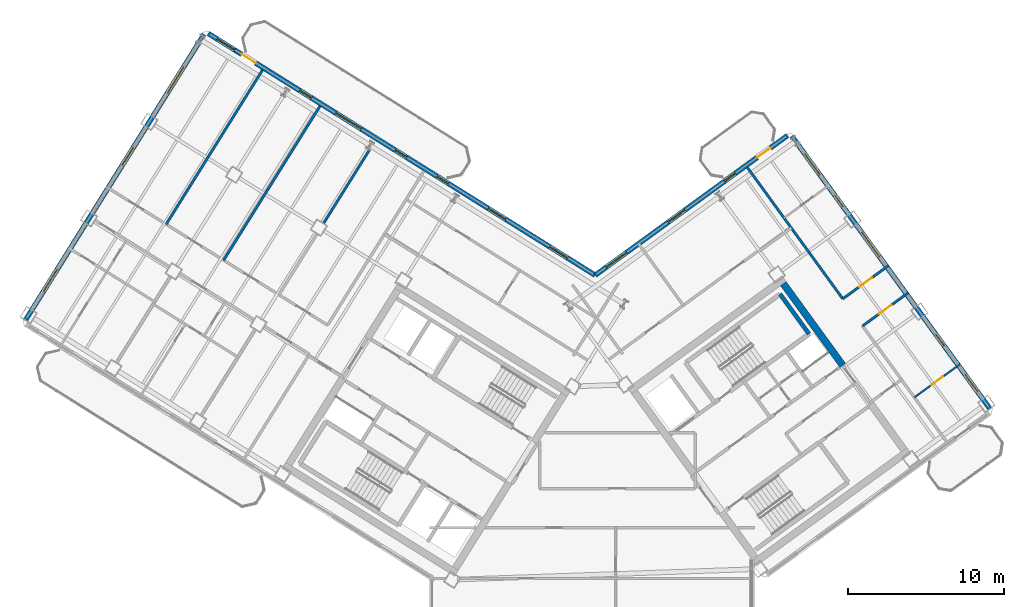
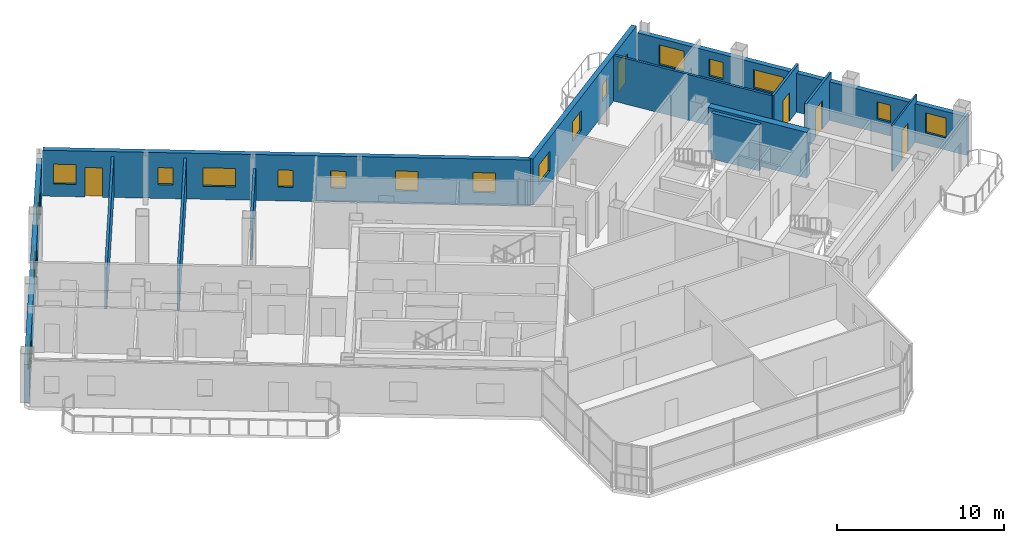
# One storey, part 15 of 21: 18 windows, 13 walls, 5 doors, 23 openings.
"""IFC4 building model written with IfcOpenShell, lengths in metres."""

from ifc_helpers import new_model, si_unit, direction, frame, frame_2d, origin, place, context, subcontext, project, spatial, rectangle, extrude, source, transform, mapped, material, layer, layer_set, type_object, element, fill, save


model = new_model("IFC4")

# Units and contexts
model_context = context("Model", 3, precision=1e-05, world=origin(), true_north=direction((0.0, 1.0)))
body_context = subcontext(model_context, "Body", "Model", "MODEL_VIEW")
ifc_project = project(units=[si_unit("LENGTHUNIT", "METRE"), si_unit("AREAUNIT", "SQUARE_METRE"), si_unit("VOLUMEUNIT", "CUBIC_METRE"), si_unit("PLANEANGLEUNIT", "RADIAN"), si_unit("MASSUNIT", "GRAM", prefix="KILO")], contexts=[model_context])

# Site, building, storey
site_placement = place(None, origin())
site = spatial("IfcSite", under=ifc_project, at=site_placement, CompositionType="ELEMENT")
building_placement = place(site_placement, origin())
building = spatial("IfcBuilding", under=site, at=building_placement, Name="Tlacorven Tower", CompositionType="ELEMENT")
storey_placement = place(building_placement, frame((0.0, 0.0, 214.800048828125)))
storey = spatial("IfcBuildingStorey", under=building, at=storey_placement, Name="L54", CompositionType="ELEMENT", Elevation=214.800048828125)

# Walls
ifc_material_1 = material(Name="Concrete C50/60", Category="concrete")
ifc_layer_1 = layer(ifc_material_1, 0.449951171875)
ifc_layer_set_1 = layer_set([ifc_layer_1], Name="Concrete C50/60")
wall_type_1 = type_object("IfcWallType", Name="WL-COR-450", PredefinedType="SHEAR", material=ifc_layer_set_1)
wall_1_placement = place(storey_placement, frame((58.06396484375, 25.8134765625, 0.0), z_axis=(0.0, 0.0, 1.0), x_axis=(-0.587774812919, 0.809024578921, 0.0)))
element("IfcWall", 1, at=wall_1_placement, inside=storey, type_object=wall_type_1, Name="L54 E core end wall E2.2", PredefinedType="SHEAR", context=body_context, shape_type="SweptSolid", body=[
    extrude(rectangle(XDim=6.47509765625, YDim=0.449951171875, at=frame_2d((3.237548828125, 0.0))), origin(), (0.0, 0.0, 1.0), 3.349853515625),
])
ifc_material_2 = material(Name="Gypsum plasterboard acoustic partition", Category="gypsum")
ifc_layer_2 = layer(ifc_material_2, 0.159912109375)
ifc_layer_set_2 = layer_set([ifc_layer_2], Name="Gypsum plasterboard acoustic partition")
wall_type_2 = type_object("IfcWallType", Name="WL-DEM-160", PredefinedType="PARTITIONING", material=ifc_layer_set_2)
wall_2_placement = place(storey_placement, frame((27.73046875, 39.596923828125, 0.0), z_axis=(0.0, 0.0, 1.0), x_axis=(-0.529919150083, -0.848048167486, 0.0)))
element("IfcWall", 2, at=wall_2_placement, inside=storey, type_object=wall_type_2, Name="L54 partition 55", PredefinedType="PARTITIONING", context=body_context, shape_type="SweptSolid", body=[
    extrude(rectangle(XDim=5.5009765625, YDim=0.159912109375, at=frame_2d((2.75048828125, 0.0))), origin(), (0.0, 0.0, 1.0), 2.824951171875),
])
for number, where, z_axis, x_axis, name in (
    (3, (24.577880859375, 42.43603515625, 0.0), (0.0, 0.0, 1.0), (-0.529916055051, -0.848050101468, 0.0), "L54 partition 56"),
    (4, (20.89404296875, 44.738037109375, 0.0), (0.0, 0.0, 1.0), (-0.529916055051, -0.848050101468, 0.0), "L54 partition 57"),
):
    element("IfcWall", number, at=place(storey_placement, frame(where, z_axis=z_axis, x_axis=x_axis)), inside=storey, type_object=wall_type_2, Name=name, PredefinedType="PARTITIONING", context=body_context, shape_type="SweptSolid", body=[
        extrude(rectangle(XDim=11.650146484375, YDim=0.159912109375, at=frame_2d((5.8251953125, 0.0))), origin(), (0.0, 0.0, 1.0), 2.994873046875),
    ])
wall_3_placement = place(storey_placement, frame((58.06689453125, 30.080078125, 0.0), z_axis=(0.0, 0.0, 1.0), x_axis=(-0.587787785243, 0.809015154073, 0.0)))
element("IfcWall", 5, at=wall_3_placement, inside=storey, type_object=wall_type_2, Name="L54 partition 78", PredefinedType="PARTITIONING", context=body_context, shape_type="SweptSolid", body=[
    extrude(rectangle(XDim=10.400146484375, YDim=0.159912109375, at=frame_2d((5.2001953125, 0.0))), origin(), (0.0, 0.0, 1.0), 3.33984375),
])

# Wall, opening, door
wall_4_placement = place(storey_placement, frame((59.33056640625, 28.340576171875, 0.0), z_axis=(0.0, 0.0, 1.0), x_axis=(0.809003564202, 0.587803736896, 0.0)))
wall_4 = element("IfcWall", 6, at=wall_4_placement, inside=storey, type_object=wall_type_2, Name="L54 partition 80", PredefinedType="PARTITIONING", context=body_context, shape_type="SweptSolid", body=[
    extrude(rectangle(XDim=3.630126953125, YDim=0.159912109375, at=frame_2d((1.81494140625, 0.0))), origin(), (0.0, 0.0, 1.0), 3.33984375),
])
opening_1_placement = place(wall_4_placement, frame((1.304931640625, 0.0, 0.0)))
opening_1 = element("IfcOpeningElement", 7, at=opening_1_placement, cuts=wall_4, Name="Opening D11", PredefinedType="OPENING", context=body_context, shape_type="SweptSolid", body=[
    extrude(rectangle(XDim=1.0, YDim=2.10009765625, at=frame_2d((0.5, 1.050048828125))), frame((0.0, 0.08984375, 0.0), z_axis=(0.0, -1.0, 0.0), x_axis=(1.0, 0.0, 0.0)), (0.0, 0.0, 1.0), 0.179931640625),
])
ifc_material_3 = material(Name="Fire-rated steel door assembly", Category="steel")
door_type_1 = type_object("IfcDoorType", Name="DR-FLT-FD60-1000", OperationType="NOTDEFINED", PredefinedType="DOOR", material=ifc_material_3)
shared_shape_1 = source(origin(), body_context, "Body", "SweptSolid", [
    extrude(rectangle(XDim=1.0, YDim=2.10009765625, at=frame_2d((0.5, 1.050048828125))), frame((0.0, 0.02490234375, 0.0), z_axis=(0.0, -1.0, 0.0), x_axis=(1.0, 0.0, 0.0)), (0.0, 0.0, 1.0), 0.050048828125),
])
door_1_placement = place(opening_1_placement, origin())
door_1 = element("IfcDoor", 8, at=door_1_placement, inside=storey, type_object=door_type_1, Name="L54 door 054", OperationType="SINGLE_SWING_LEFT", OverallHeight=2.10009765625, OverallWidth=1.0, PredefinedType="DOOR", context=body_context, shape_type="MappedRepresentation", body=[
    mapped(shared_shape_1, transform((0.0, 0.0, 0.0), scale=1.0)),
])
fill(opening_1, door_1)

wall_5_placement = place(storey_placement, frame((58.06689453125, 30.080078125, 0.0), z_axis=(0.0, 0.0, 1.0), x_axis=(0.809012309495, 0.587791700422, 0.0)))
wall_5 = element("IfcWall", 9, at=wall_5_placement, inside=storey, type_object=wall_type_2, Name="L54 partition 81", PredefinedType="PARTITIONING", context=body_context, shape_type="SweptSolid", body=[
    extrude(rectangle(XDim=3.6298828125, YDim=0.159912109375, at=frame_2d((1.81494140625, 0.0))), origin(), (0.0, 0.0, 1.0), 3.33984375),
])
opening_2_placement = place(wall_5_placement, frame((1.304931640625, 0.0, 0.0)))
opening_2 = element("IfcOpeningElement", 10, at=opening_2_placement, cuts=wall_5, Name="Opening D11", PredefinedType="OPENING", context=body_context, shape_type="SweptSolid", body=[
    extrude(rectangle(XDim=1.0, YDim=2.10009765625, at=frame_2d((0.5, 1.050048828125))), frame((0.0, 0.08984375, 0.0), z_axis=(0.0, -1.0, 0.0), x_axis=(1.0, 0.0, 0.0)), (0.0, 0.0, 1.0), 0.179931640625),
])
door_2_placement = place(opening_2_placement, origin())
door_2 = element("IfcDoor", 11, at=door_2_placement, inside=storey, type_object=door_type_1, Name="L54 door 052", OperationType="SINGLE_SWING_LEFT", OverallHeight=2.10009765625, OverallWidth=1.0, PredefinedType="DOOR", context=body_context, shape_type="MappedRepresentation", body=[
    mapped(shared_shape_1, transform((0.0, 0.0, 0.0), scale=1.0)),
])
fill(opening_2, door_2)

# Wall, openings, windows
ifc_material_4 = material(Name="Precast concrete C45/55", Category="concrete")
ifc_layer_3 = layer(ifc_material_4, 0.320068359375)
ifc_layer_set_3 = layer_set([ifc_layer_3], Name="Precast concrete C45/55")
wall_type_3 = type_object("IfcWallType", Name="WL-EXT-320", PredefinedType="STANDARD", material=ifc_layer_set_3)
wall_6_placement = place(storey_placement, frame((5.699951171875, 28.71044921875, 0.0), z_axis=(0.0, 0.0, 1.0), x_axis=(0.529923711467, 0.8480453172, 0.0)))
wall_6 = element("IfcWall", 12, at=wall_6_placement, inside=storey, type_object=wall_type_3, Name="L54 Masonry-Frame Recessed Facade Wall 2", PredefinedType="STANDARD", context=body_context, shape_type="SweptSolid", body=[
    extrude(rectangle(XDim=21.58740234375, YDim=0.320068359375, at=frame_2d((10.793701171875, 0.0))), origin(), (0.0, 0.0, 1.0), 2.824951171875),
])
opening_3_placement = place(wall_6_placement, frame((2.18359375, 0.0, 0.89990234375)))
opening_3 = element("IfcOpeningElement", 13, at=opening_3_placement, cuts=wall_6, Name="Opening WN07", PredefinedType="OPENING", context=body_context, shape_type="SweptSolid", body=[
    extrude(rectangle(XDim=1.64990234375, YDim=1.449951171875, at=frame_2d((0.824951171875, 0.72509765625))), frame((0.0, 0.169921875, 0.0), z_axis=(0.0, -1.0, 0.0), x_axis=(1.0, 0.0, 0.0)), (0.0, 0.0, 1.0), 0.340087890625),
])
opening_4_placement = place(wall_6_placement, frame((11.708740234375, 0.0, 0.89990234375)))
opening_4 = element("IfcOpeningElement", 14, at=opening_4_placement, cuts=wall_6, Name="Opening WN08", PredefinedType="OPENING", context=body_context, shape_type="SweptSolid", body=[
    extrude(rectangle(XDim=1.35009765625, YDim=1.449951171875, at=frame_2d((0.675048828125, 0.72509765625))), frame((0.0, 0.169921875, 0.0), z_axis=(0.0, -1.0, 0.0), x_axis=(1.0, 0.0, 0.0)), (0.0, 0.0, 1.0), 0.340087890625),
])
opening_5_placement = place(wall_6_placement, frame((17.18115234375, 0.0, 0.949951171875)))
opening_5 = element("IfcOpeningElement", 15, at=opening_5_placement, cuts=wall_6, Name="Opening WN09", PredefinedType="OPENING", context=body_context, shape_type="SweptSolid", body=[
    extrude(rectangle(XDim=1.949951171875, YDim=1.35009765625, at=frame_2d((0.97509765625, 0.675048828125))), frame((0.0, 0.169921875, 0.0), z_axis=(0.0, -1.0, 0.0), x_axis=(1.0, 0.0, 0.0)), (0.0, 0.0, 1.0), 0.340087890625),
])
ifc_material_5 = material(Name="Dark solar low-E double glazing in anodised aluminium frame", Category="aluminium")
window_type_1 = type_object("IfcWindowType", Name="WN-APT-1650X1600", PartitioningType="SINGLE_PANEL", PredefinedType="WINDOW", material=ifc_material_5)
shared_shape_2 = source(origin(), body_context, "Body", "SweptSolid", [
    extrude(rectangle(XDim=1.64990234375, YDim=1.449951171875, at=frame_2d((0.824951171875, 0.72509765625))), frame((0.0, 0.030029296875, 0.0), z_axis=(0.0, -1.0, 0.0), x_axis=(1.0, 0.0, 0.0)), (0.0, 0.0, 1.0), 0.06005859375),
])
window_1_placement = place(opening_3_placement, origin())
window_1 = element("IfcWindow", 16, at=window_1_placement, inside=storey, type_object=window_type_1, Name="L54 Recessed Masonry-Frame Window L54-02.1", OverallHeight=1.449951171875, OverallWidth=1.64990234375, PartitioningType="SINGLE_PANEL", PredefinedType="WINDOW", context=body_context, shape_type="MappedRepresentation", body=[
    mapped(shared_shape_2, transform((0.0, 0.0, 0.0), scale=1.0)),
])
fill(opening_3, window_1)
window_type_2 = type_object("IfcWindowType", Name="WN-APT-1350X1550", PartitioningType="SINGLE_PANEL", PredefinedType="WINDOW", material=ifc_material_5)
shared_shape_3 = source(origin(), body_context, "Body", "SweptSolid", [
    extrude(rectangle(XDim=1.35009765625, YDim=1.449951171875, at=frame_2d((0.675048828125, 0.72509765625))), frame((0.0, 0.030029296875, 0.0), z_axis=(0.0, -1.0, 0.0), x_axis=(1.0, 0.0, 0.0)), (0.0, 0.0, 1.0), 0.06005859375),
])
window_2_placement = place(opening_4_placement, origin())
window_2 = element("IfcWindow", 17, at=window_2_placement, inside=storey, type_object=window_type_2, Name="L54 Recessed Masonry-Frame Window L54-02.2", OverallHeight=1.449951171875, OverallWidth=1.35009765625, PartitioningType="SINGLE_PANEL", PredefinedType="WINDOW", context=body_context, shape_type="MappedRepresentation", body=[
    mapped(shared_shape_3, transform((0.0, 0.0, 0.0), scale=1.0)),
])
fill(opening_4, window_2)
window_type_3 = type_object("IfcWindowType", Name="WN-GAL-1950X1450", PartitioningType="SINGLE_PANEL", PredefinedType="WINDOW", material=ifc_material_5)
shared_shape_4 = source(origin(), body_context, "Body", "SweptSolid", [
    extrude(rectangle(XDim=1.949951171875, YDim=1.35009765625, at=frame_2d((0.97509765625, 0.675048828125))), frame((0.0, 0.030029296875, 0.0), z_axis=(0.0, -1.0, 0.0), x_axis=(1.0, 0.0, 0.0)), (0.0, 0.0, 1.0), 0.06005859375),
])
window_3_placement = place(opening_5_placement, origin())
window_3 = element("IfcWindow", 18, at=window_3_placement, inside=storey, type_object=window_type_3, Name="L54 Recessed Masonry-Frame Window L54-02.3", OverallHeight=1.35009765625, OverallWidth=1.949951171875, PartitioningType="SINGLE_PANEL", PredefinedType="WINDOW", context=body_context, shape_type="MappedRepresentation", body=[
    mapped(shared_shape_4, transform((0.0, 0.0, 0.0), scale=1.0)),
])
fill(opening_5, window_3)

# Wall, openings, door, windows
wall_7_placement = place(storey_placement, frame((17.423828125, 47.083251953125, 0.0), z_axis=(0.0, 0.0, 1.0), x_axis=(0.848049927979, -0.529916332693, 0.0)))
wall_7 = element("IfcWall", 19, at=wall_7_placement, inside=storey, type_object=wall_type_3, Name="L54 Masonry-Frame Recessed Facade Wall 3", PredefinedType="STANDARD", context=body_context, shape_type="SweptSolid", body=[
    extrude(rectangle(XDim=29.22314453125, YDim=0.320068359375, at=frame_2d((14.611572265625, 0.0))), origin(), (0.0, 0.0, 1.0), 3.349853515625),
])
opening_6_placement = place(wall_7_placement, frame((2.525634765625, 0.0, 0.0)))
opening_6 = element("IfcOpeningElement", 20, at=opening_6_placement, cuts=wall_7, Name="Opening D06", PredefinedType="OPENING", context=body_context, shape_type="SweptSolid", body=[
    extrude(rectangle(XDim=1.050048828125, YDim=2.14990234375, at=frame_2d((0.52490234375, 1.074951171875))), frame((0.0, 0.169921875, 0.0), z_axis=(0.0, -1.0, 0.0), x_axis=(1.0, 0.0, 0.0)), (0.0, 0.0, 1.0), 0.340087890625),
])
opening_7_placement = place(wall_7_placement, frame((0.65283203125, 0.0, 0.89990234375)))
opening_7 = element("IfcOpeningElement", 21, at=opening_7_placement, cuts=wall_7, Name="Opening WN08", PredefinedType="OPENING", context=body_context, shape_type="SweptSolid", body=[
    extrude(rectangle(XDim=1.35009765625, YDim=1.449951171875, at=frame_2d((0.675048828125, 0.72509765625))), frame((0.0, 0.169921875, 0.0), z_axis=(0.0, -1.0, 0.0), x_axis=(1.0, 0.0, 0.0)), (0.0, 0.0, 1.0), 0.340087890625),
])
opening_8_placement = place(wall_7_placement, frame((6.896728515625, 0.0, 1.0)))
opening_8 = element("IfcOpeningElement", 22, at=opening_8_placement, cuts=wall_7, Name="Opening WN05", PredefinedType="OPENING", context=body_context, shape_type="SweptSolid", body=[
    extrude(rectangle(XDim=0.89990234375, YDim=1.25, at=frame_2d((0.449951171875, 0.625))), frame((0.0, 0.169921875, 0.0), z_axis=(0.0, -1.0, 0.0), x_axis=(1.0, 0.0, 0.0)), (0.0, 0.0, 1.0), 0.340087890625),
])
opening_9_placement = place(wall_7_placement, frame((9.601806640625, 0.0, 0.949951171875)))
opening_9 = element("IfcOpeningElement", 23, at=opening_9_placement, cuts=wall_7, Name="Opening WN09", PredefinedType="OPENING", context=body_context, shape_type="SweptSolid", body=[
    extrude(rectangle(XDim=1.949951171875, YDim=1.35009765625, at=frame_2d((0.97509765625, 0.675048828125))), frame((0.0, 0.169921875, 0.0), z_axis=(0.0, -1.0, 0.0), x_axis=(1.0, 0.0, 0.0)), (0.0, 0.0, 1.0), 0.340087890625),
])
opening_10_placement = place(wall_7_placement, frame((14.095703125, 0.0, 1.0)))
opening_10 = element("IfcOpeningElement", 24, at=opening_10_placement, cuts=wall_7, Name="Opening WN05", PredefinedType="OPENING", context=body_context, shape_type="SweptSolid", body=[
    extrude(rectangle(XDim=0.89990234375, YDim=1.25, at=frame_2d((0.449951171875, 0.625))), frame((0.0, 0.169921875, 0.0), z_axis=(0.0, -1.0, 0.0), x_axis=(1.0, 0.0, 0.0)), (0.0, 0.0, 1.0), 0.340087890625),
])
opening_11_placement = place(wall_7_placement, frame((17.253662109375, 0.0, 1.0)))
opening_11 = element("IfcOpeningElement", 25, at=opening_11_placement, cuts=wall_7, Name="Opening WN05", PredefinedType="OPENING", context=body_context, shape_type="SweptSolid", body=[
    extrude(rectangle(XDim=0.89990234375, YDim=1.25, at=frame_2d((0.449951171875, 0.625))), frame((0.0, 0.169921875, 0.0), z_axis=(0.0, -1.0, 0.0), x_axis=(1.0, 0.0, 0.0)), (0.0, 0.0, 1.0), 0.340087890625),
])
opening_12_placement = place(wall_7_placement, frame((21.138671875, 0.0, 0.89990234375)))
opening_12 = element("IfcOpeningElement", 26, at=opening_12_placement, cuts=wall_7, Name="Opening WN08", PredefinedType="OPENING", context=body_context, shape_type="SweptSolid", body=[
    extrude(rectangle(XDim=1.35009765625, YDim=1.449951171875, at=frame_2d((0.675048828125, 0.72509765625))), frame((0.0, 0.169921875, 0.0), z_axis=(0.0, -1.0, 0.0), x_axis=(1.0, 0.0, 0.0)), (0.0, 0.0, 1.0), 0.340087890625),
])
opening_13_placement = place(wall_7_placement, frame((25.7783203125, 0.0, 0.89990234375)))
opening_13 = element("IfcOpeningElement", 27, at=opening_13_placement, cuts=wall_7, Name="Opening WN08", PredefinedType="OPENING", context=body_context, shape_type="SweptSolid", body=[
    extrude(rectangle(XDim=1.35009765625, YDim=1.449951171875, at=frame_2d((0.675048828125, 0.72509765625))), frame((0.0, 0.169921875, 0.0), z_axis=(0.0, -1.0, 0.0), x_axis=(1.0, 0.0, 0.0)), (0.0, 0.0, 1.0), 0.340087890625),
])
ifc_material_6 = material(Name="Powder-coated aluminium and timber door", Category="wood")
door_type_2 = type_object("IfcDoorType", Name="DR-EXT-BALC-1050", OperationType="NOTDEFINED", PredefinedType="DOOR", material=ifc_material_6)
shared_shape_5 = source(origin(), body_context, "Body", "SweptSolid", [
    extrude(rectangle(XDim=1.050048828125, YDim=2.14990234375, at=frame_2d((0.52490234375, 1.074951171875))), frame((0.0, 0.02490234375, 0.0), z_axis=(0.0, -1.0, 0.0), x_axis=(1.0, 0.0, 0.0)), (0.0, 0.0, 1.0), 0.050048828125),
])
door_3_placement = place(opening_6_placement, origin())
door_3 = element("IfcDoor", 28, at=door_3_placement, inside=storey, type_object=door_type_2, Name="L54 Outdoor Access Door BAL-L54-W-IN", OperationType="SINGLE_SWING_RIGHT", OverallHeight=2.14990234375, OverallWidth=1.050048828125, PredefinedType="DOOR", context=body_context, shape_type="MappedRepresentation", body=[
    mapped(shared_shape_5, transform((0.0, 0.0, 0.0), scale=1.0)),
])
fill(opening_6, door_3)
window_type_4 = type_object("IfcWindowType", Name="WN-APT-0900X1350", PartitioningType="SINGLE_PANEL", PredefinedType="WINDOW", material=ifc_material_5)
shared_shape_6 = source(origin(), body_context, "Body", "SweptSolid", [
    extrude(rectangle(XDim=0.89990234375, YDim=1.25, at=frame_2d((0.449951171875, 0.625))), frame((0.0, 0.030029296875, 0.0), z_axis=(0.0, -1.0, 0.0), x_axis=(1.0, 0.0, 0.0)), (0.0, 0.0, 1.0), 0.06005859375),
])
window_4_placement = place(opening_8_placement, origin())
window_4 = element("IfcWindow", 29, at=window_4_placement, inside=storey, type_object=window_type_4, Name="L54 Recessed Masonry-Frame Window L54-03.2", OverallHeight=1.25, OverallWidth=0.89990234375, PartitioningType="SINGLE_PANEL", PredefinedType="WINDOW", context=body_context, shape_type="MappedRepresentation", body=[
    mapped(shared_shape_6, transform((0.0, 0.0, 0.0), scale=1.0)),
])
fill(opening_8, window_4)
window_5_placement = place(opening_10_placement, origin())
window_5 = element("IfcWindow", 30, at=window_5_placement, inside=storey, type_object=window_type_4, Name="L54 Recessed Masonry-Frame Window L54-03.4", OverallHeight=1.25, OverallWidth=0.89990234375, PartitioningType="SINGLE_PANEL", PredefinedType="WINDOW", context=body_context, shape_type="MappedRepresentation", body=[
    mapped(shared_shape_6, transform((0.0, 0.0, 0.0), scale=1.0)),
])
fill(opening_10, window_5)
window_6_placement = place(opening_11_placement, origin())
window_6 = element("IfcWindow", 31, at=window_6_placement, inside=storey, type_object=window_type_4, Name="L54 Recessed Masonry-Frame Window L54-03.5", OverallHeight=1.25, OverallWidth=0.89990234375, PartitioningType="SINGLE_PANEL", PredefinedType="WINDOW", context=body_context, shape_type="MappedRepresentation", body=[
    mapped(shared_shape_6, transform((0.0, 0.0, 0.0), scale=1.0)),
])
fill(opening_11, window_6)
window_7_placement = place(opening_7_placement, origin())
window_7 = element("IfcWindow", 32, at=window_7_placement, inside=storey, type_object=window_type_2, Name="L54 Recessed Masonry-Frame Window L54-03.1", OverallHeight=1.449951171875, OverallWidth=1.35009765625, PartitioningType="SINGLE_PANEL", PredefinedType="WINDOW", context=body_context, shape_type="MappedRepresentation", body=[
    mapped(shared_shape_3, transform((0.0, 0.0, 0.0), scale=1.0)),
])
fill(opening_7, window_7)
window_8_placement = place(opening_12_placement, origin())
window_8 = element("IfcWindow", 33, at=window_8_placement, inside=storey, type_object=window_type_2, Name="L54 Recessed Masonry-Frame Window L54-03.6", OverallHeight=1.449951171875, OverallWidth=1.35009765625, PartitioningType="SINGLE_PANEL", PredefinedType="WINDOW", context=body_context, shape_type="MappedRepresentation", body=[
    mapped(shared_shape_3, transform((0.0, 0.0, 0.0), scale=1.0)),
])
fill(opening_12, window_8)
window_9_placement = place(opening_13_placement, origin())
window_9 = element("IfcWindow", 34, at=window_9_placement, inside=storey, type_object=window_type_2, Name="L54 Recessed Masonry-Frame Window L54-03.7", OverallHeight=1.449951171875, OverallWidth=1.35009765625, PartitioningType="SINGLE_PANEL", PredefinedType="WINDOW", context=body_context, shape_type="MappedRepresentation", body=[
    mapped(shared_shape_3, transform((0.0, 0.0, 0.0), scale=1.0)),
])
fill(opening_13, window_9)
window_10_placement = place(opening_9_placement, origin())
window_10 = element("IfcWindow", 35, at=window_10_placement, inside=storey, type_object=window_type_3, Name="L54 Recessed Masonry-Frame Window L54-03.3", OverallHeight=1.35009765625, OverallWidth=1.949951171875, PartitioningType="SINGLE_PANEL", PredefinedType="WINDOW", context=body_context, shape_type="MappedRepresentation", body=[
    mapped(shared_shape_4, transform((0.0, 0.0, 0.0), scale=1.0)),
])
fill(opening_9, window_10)

wall_8_placement = place(storey_placement, frame((42.20654296875, 31.597412109375, 0.0), z_axis=(0.0, 0.0, 1.0), x_axis=(0.809020333377, 0.587780656523, 0.0)))
wall_8 = element("IfcWall", 36, at=wall_8_placement, inside=storey, type_object=wall_type_3, Name="L54 Masonry-Frame Recessed Facade Wall 4", PredefinedType="STANDARD", context=body_context, shape_type="SweptSolid", body=[
    extrude(rectangle(XDim=15.222900390625, YDim=0.320068359375, at=frame_2d((7.611328125, 0.0))), origin(), (0.0, 0.0, 1.0), 3.349853515625),
])
opening_14_placement = place(wall_8_placement, frame((12.81982421875, 0.0, 0.0)))
opening_14 = element("IfcOpeningElement", 37, at=opening_14_placement, cuts=wall_8, Name="Opening D06", PredefinedType="OPENING", context=body_context, shape_type="SweptSolid", body=[
    extrude(rectangle(XDim=1.050048828125, YDim=2.14990234375, at=frame_2d((0.52490234375, 1.074951171875))), frame((0.0, 0.169921875, 0.0), z_axis=(0.0, -1.0, 0.0), x_axis=(1.0, 0.0, 0.0)), (0.0, 0.0, 1.0), 0.340087890625),
])
opening_15_placement = place(wall_8_placement, frame((0.849609375, 0.0, 0.89990234375)))
opening_15 = element("IfcOpeningElement", 38, at=opening_15_placement, cuts=wall_8, Name="Opening WN07", PredefinedType="OPENING", context=body_context, shape_type="SweptSolid", body=[
    extrude(rectangle(XDim=1.64990234375, YDim=1.449951171875, at=frame_2d((0.824951171875, 0.72509765625))), frame((0.0, 0.169921875, 0.0), z_axis=(0.0, -1.0, 0.0), x_axis=(1.0, 0.0, 0.0)), (0.0, 0.0, 1.0), 0.340087890625),
])
opening_16_placement = place(wall_8_placement, frame((5.769287109375, 0.0, 0.89990234375)))
opening_16 = element("IfcOpeningElement", 39, at=opening_16_placement, cuts=wall_8, Name="Opening WN08", PredefinedType="OPENING", context=body_context, shape_type="SweptSolid", body=[
    extrude(rectangle(XDim=1.35009765625, YDim=1.449951171875, at=frame_2d((0.675048828125, 0.72509765625))), frame((0.0, 0.169921875, 0.0), z_axis=(0.0, -1.0, 0.0), x_axis=(1.0, 0.0, 0.0)), (0.0, 0.0, 1.0), 0.340087890625),
])
opening_17_placement = place(wall_8_placement, frame((10.219482421875, 0.0, 1.0)))
opening_17 = element("IfcOpeningElement", 40, at=opening_17_placement, cuts=wall_8, Name="Opening WN05", PredefinedType="OPENING", context=body_context, shape_type="SweptSolid", body=[
    extrude(rectangle(XDim=0.89990234375, YDim=1.25, at=frame_2d((0.449951171875, 0.625))), frame((0.0, 0.169921875, 0.0), z_axis=(0.0, -1.0, 0.0), x_axis=(1.0, 0.0, 0.0)), (0.0, 0.0, 1.0), 0.340087890625),
])
door_4_placement = place(opening_14_placement, origin())
door_4 = element("IfcDoor", 41, at=door_4_placement, inside=storey, type_object=door_type_2, Name="L54 Outdoor Access Door BAL-L54-E-IN", OperationType="SINGLE_SWING_RIGHT", OverallHeight=2.14990234375, OverallWidth=1.050048828125, PredefinedType="DOOR", context=body_context, shape_type="MappedRepresentation", body=[
    mapped(shared_shape_5, transform((0.0, 0.0, 0.0), scale=1.0)),
])
fill(opening_14, door_4)
window_11_placement = place(opening_17_placement, origin())
window_11 = element("IfcWindow", 42, at=window_11_placement, inside=storey, type_object=window_type_4, Name="L54 Recessed Masonry-Frame Window L54-04.3", OverallHeight=1.25, OverallWidth=0.89990234375, PartitioningType="SINGLE_PANEL", PredefinedType="WINDOW", context=body_context, shape_type="MappedRepresentation", body=[
    mapped(shared_shape_6, transform((0.0, 0.0, 0.0), scale=1.0)),
])
fill(opening_17, window_11)
window_12_placement = place(opening_15_placement, origin())
window_12 = element("IfcWindow", 43, at=window_12_placement, inside=storey, type_object=window_type_1, Name="L54 Recessed Masonry-Frame Window L54-04.1", OverallHeight=1.449951171875, OverallWidth=1.64990234375, PartitioningType="SINGLE_PANEL", PredefinedType="WINDOW", context=body_context, shape_type="MappedRepresentation", body=[
    mapped(shared_shape_2, transform((0.0, 0.0, 0.0), scale=1.0)),
])
fill(opening_15, window_12)
window_13_placement = place(opening_16_placement, origin())
window_13 = element("IfcWindow", 44, at=window_13_placement, inside=storey, type_object=window_type_2, Name="L54 Recessed Masonry-Frame Window L54-04.2", OverallHeight=1.449951171875, OverallWidth=1.35009765625, PartitioningType="SINGLE_PANEL", PredefinedType="WINDOW", context=body_context, shape_type="MappedRepresentation", body=[
    mapped(shared_shape_3, transform((0.0, 0.0, 0.0), scale=1.0)),
])
fill(opening_16, window_13)

# Wall, openings, windows
wall_9_placement = place(storey_placement, frame((54.810302734375, 40.49951171875, 0.0), z_axis=(0.0, 0.0, 1.0), x_axis=(0.587783625747, -0.809018176127, 0.0)))
wall_9 = element("IfcWall", 45, at=wall_9_placement, inside=storey, type_object=wall_type_3, Name="L54 Masonry-Frame Recessed Facade Wall 5", PredefinedType="STANDARD", context=body_context, shape_type="SweptSolid", body=[
    extrude(rectangle(XDim=21.58740234375, YDim=0.320068359375, at=frame_2d((10.793701171875, 0.0))), origin(), (0.0, 0.0, 1.0), 2.824951171875),
])
opening_18_placement = place(wall_9_placement, frame((1.402587890625, 0.0, 0.89990234375)))
opening_18 = element("IfcOpeningElement", 46, at=opening_18_placement, cuts=wall_9, Name="Opening WN07", PredefinedType="OPENING", context=body_context, shape_type="SweptSolid", body=[
    extrude(rectangle(XDim=1.64990234375, YDim=1.449951171875, at=frame_2d((0.824951171875, 0.72509765625))), frame((0.0, 0.169921875, 0.0), z_axis=(0.0, -1.0, 0.0), x_axis=(1.0, 0.0, 0.0)), (0.0, 0.0, 1.0), 0.340087890625),
])
opening_19_placement = place(wall_9_placement, frame((4.6953125, 0.0, 1.0)))
opening_19 = element("IfcOpeningElement", 47, at=opening_19_placement, cuts=wall_9, Name="Opening WN05", PredefinedType="OPENING", context=body_context, shape_type="SweptSolid", body=[
    extrude(rectangle(XDim=0.89990234375, YDim=1.25, at=frame_2d((0.449951171875, 0.625))), frame((0.0, 0.169921875, 0.0), z_axis=(0.0, -1.0, 0.0), x_axis=(1.0, 0.0, 0.0)), (0.0, 0.0, 1.0), 0.340087890625),
])
opening_20_placement = place(wall_9_placement, frame((7.603759765625, 0.0, 0.949951171875)))
opening_20 = element("IfcOpeningElement", 48, at=opening_20_placement, cuts=wall_9, Name="Opening WN09", PredefinedType="OPENING", context=body_context, shape_type="SweptSolid", body=[
    extrude(rectangle(XDim=1.949951171875, YDim=1.35009765625, at=frame_2d((0.97509765625, 0.675048828125))), frame((0.0, 0.169921875, 0.0), z_axis=(0.0, -1.0, 0.0), x_axis=(1.0, 0.0, 0.0)), (0.0, 0.0, 1.0), 0.340087890625),
])
opening_21_placement = place(wall_9_placement, frame((15.692138671875, 0.0, 1.0)))
opening_21 = element("IfcOpeningElement", 49, at=opening_21_placement, cuts=wall_9, Name="Opening WN05", PredefinedType="OPENING", context=body_context, shape_type="SweptSolid", body=[
    extrude(rectangle(XDim=0.89990234375, YDim=1.25, at=frame_2d((0.449951171875, 0.625))), frame((0.0, 0.169921875, 0.0), z_axis=(0.0, -1.0, 0.0), x_axis=(1.0, 0.0, 0.0)), (0.0, 0.0, 1.0), 0.340087890625),
])
opening_22_placement = place(wall_9_placement, frame((18.872314453125, 0.0, 0.89990234375)))
opening_22 = element("IfcOpeningElement", 50, at=opening_22_placement, cuts=wall_9, Name="Opening WN08", PredefinedType="OPENING", context=body_context, shape_type="SweptSolid", body=[
    extrude(rectangle(XDim=1.35009765625, YDim=1.449951171875, at=frame_2d((0.675048828125, 0.72509765625))), frame((0.0, 0.169921875, 0.0), z_axis=(0.0, -1.0, 0.0), x_axis=(1.0, 0.0, 0.0)), (0.0, 0.0, 1.0), 0.340087890625),
])
window_14_placement = place(opening_19_placement, origin())
window_14 = element("IfcWindow", 51, at=window_14_placement, inside=storey, type_object=window_type_4, Name="L54 Recessed Masonry-Frame Window L54-05.2", OverallHeight=1.25, OverallWidth=0.89990234375, PartitioningType="SINGLE_PANEL", PredefinedType="WINDOW", context=body_context, shape_type="MappedRepresentation", body=[
    mapped(shared_shape_6, transform((0.0, 0.0, 0.0), scale=1.0)),
])
fill(opening_19, window_14)
window_15_placement = place(opening_21_placement, origin())
window_15 = element("IfcWindow", 52, at=window_15_placement, inside=storey, type_object=window_type_4, Name="L54 Recessed Masonry-Frame Window L54-05.4", OverallHeight=1.25, OverallWidth=0.89990234375, PartitioningType="SINGLE_PANEL", PredefinedType="WINDOW", context=body_context, shape_type="MappedRepresentation", body=[
    mapped(shared_shape_6, transform((0.0, 0.0, 0.0), scale=1.0)),
])
fill(opening_21, window_15)
window_16_placement = place(opening_18_placement, origin())
window_16 = element("IfcWindow", 53, at=window_16_placement, inside=storey, type_object=window_type_1, Name="L54 Recessed Masonry-Frame Window L54-05.1", OverallHeight=1.449951171875, OverallWidth=1.64990234375, PartitioningType="SINGLE_PANEL", PredefinedType="WINDOW", context=body_context, shape_type="MappedRepresentation", body=[
    mapped(shared_shape_2, transform((0.0, 0.0, 0.0), scale=1.0)),
])
fill(opening_18, window_16)
window_17_placement = place(opening_22_placement, origin())
window_17 = element("IfcWindow", 54, at=window_17_placement, inside=storey, type_object=window_type_2, Name="L54 Recessed Masonry-Frame Window L54-05.5", OverallHeight=1.449951171875, OverallWidth=1.35009765625, PartitioningType="SINGLE_PANEL", PredefinedType="WINDOW", context=body_context, shape_type="MappedRepresentation", body=[
    mapped(shared_shape_3, transform((0.0, 0.0, 0.0), scale=1.0)),
])
fill(opening_22, window_17)
window_18_placement = place(opening_20_placement, origin())
window_18 = element("IfcWindow", 55, at=window_18_placement, inside=storey, type_object=window_type_3, Name="L54 Recessed Masonry-Frame Window L54-05.3", OverallHeight=1.35009765625, OverallWidth=1.949951171875, PartitioningType="SINGLE_PANEL", PredefinedType="WINDOW", context=body_context, shape_type="MappedRepresentation", body=[
    mapped(shared_shape_4, transform((0.0, 0.0, 0.0), scale=1.0)),
])
fill(opening_20, window_18)

# Wall, opening, door
ifc_material_7 = material(Name="Gypsum plasterboard partition", Category="gypsum")
ifc_layer_4 = layer(ifc_material_7, 0.110107421875)
ifc_layer_set_4 = layer_set([ifc_layer_4], Name="Gypsum plasterboard partition")
wall_type_4 = type_object("IfcWallType", Name="WL-INT-110", PredefinedType="PARTITIONING", material=ifc_layer_set_4)
wall_10_placement = place(storey_placement, frame((62.652587890625, 23.76806640625, 0.0), z_axis=(0.0, 0.0, 1.0), x_axis=(0.809037198293, 0.58775744298, 0.0)))
wall_10 = element("IfcWall", 56, at=wall_10_placement, inside=storey, type_object=wall_type_4, Name="L54 partition 83", PredefinedType="PARTITIONING", context=body_context, shape_type="SweptSolid", body=[
    extrude(rectangle(XDim=3.610107421875, YDim=0.110107421875, at=frame_2d((1.80517578125, 0.0))), origin(), (0.0, 0.0, 1.0), 3.33984375),
])
opening_23_placement = place(wall_10_placement, frame((1.344970703125, 0.0, 0.0)))
opening_23 = element("IfcOpeningElement", 57, at=opening_23_placement, cuts=wall_10, Name="Opening D12", PredefinedType="OPENING", context=body_context, shape_type="SweptSolid", body=[
    extrude(rectangle(XDim=0.919921875, YDim=2.080078125, at=frame_2d((0.4599609375, 1.0400390625))), frame((0.0, 0.06494140625, 0.0), z_axis=(0.0, -1.0, 0.0), x_axis=(1.0, 0.0, 0.0)), (0.0, 0.0, 1.0), 0.130126953125),
])
door_type_3 = type_object("IfcDoorType", Name="DR-INT-ROOM-0920", OperationType="NOTDEFINED", PredefinedType="DOOR", material=ifc_material_6)
shared_shape_7 = source(origin(), body_context, "Body", "SweptSolid", [
    extrude(rectangle(XDim=0.919921875, YDim=2.080078125, at=frame_2d((0.4599609375, 1.0400390625))), frame((0.0, 0.02490234375, 0.0), z_axis=(0.0, -1.0, 0.0), x_axis=(1.0, 0.0, 0.0)), (0.0, 0.0, 1.0), 0.050048828125),
])
door_5_placement = place(opening_23_placement, origin())
door_5 = element("IfcDoor", 58, at=door_5_placement, inside=storey, type_object=door_type_3, Name="L54 door 055", OperationType="SINGLE_SWING_RIGHT", OverallHeight=2.080078125, OverallWidth=0.919921875, PredefinedType="DOOR", context=body_context, shape_type="MappedRepresentation", body=[
    mapped(shared_shape_7, transform((0.0, 0.0, 0.0), scale=1.0)),
])
fill(opening_23, door_5)

# Wall
ifc_layer_5 = layer(ifc_material_1, 0.260009765625)
ifc_layer_set_5 = layer_set([ifc_layer_5], Name="Concrete C50/60")
wall_type_5 = type_object("IfcWallType", Name="WL-STW-260", PredefinedType="SHEAR", material=ifc_layer_set_5)
wall_11_placement = place(storey_placement, frame((55.906494140625, 27.83056640625, 0.0), z_axis=(0.0, 0.0, 1.0), x_axis=(-0.587804123638, 0.809003283204, 0.0)))
element("IfcWall", 59, at=wall_11_placement, inside=storey, type_object=wall_type_5, Name="L54 Stair E1 East Shear Wall", PredefinedType="SHEAR", context=body_context, shape_type="SweptSolid", body=[
    extrude(rectangle(XDim=3.159912109375, YDim=0.260009765625, at=frame_2d((1.580078125, 0.0))), origin(), (0.0, 0.0, 1.0), 3.349853515625),
])

save(model, "model.ifc")
